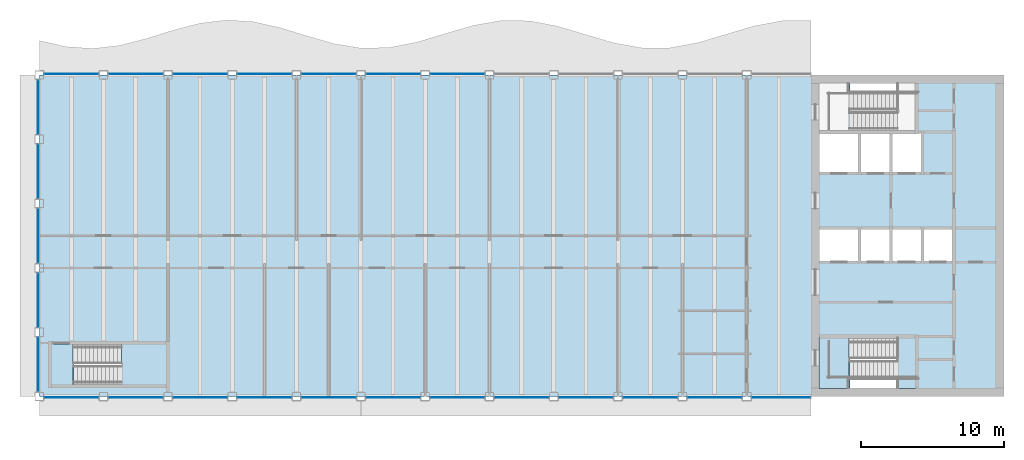
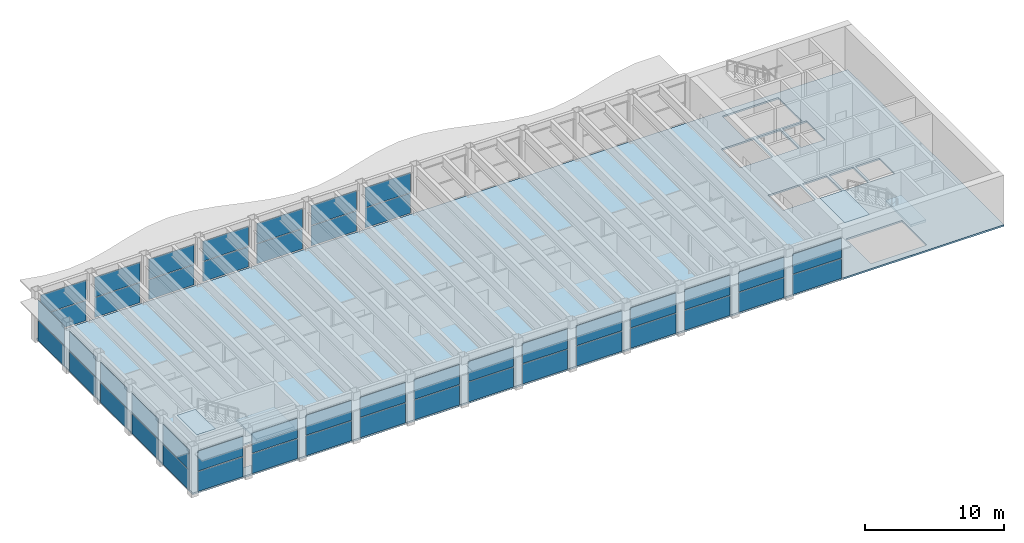
# One storey, part 7 of 14: 48 plates, 5 slabs, 26 elements without a shape of their own.
"""IFC4 building model written with IfcOpenShell, lengths in metres."""

from ifc_helpers import new_model, si_unit, direction, frame, origin, origin_2d, place, context, subcontext, project, spatial, polyline, rectangle, outline, extrude, material, layer, layer_set, type_object, element, aggregate, save


model = new_model("IFC4")

# Units and contexts
model_context = context("Model", 3, precision=1e-05, world=origin(), true_north=direction((0.0, 1.0)))
body_context = subcontext(model_context, "Body", "Model", "MODEL_VIEW")
ifc_project = project(units=[si_unit("LENGTHUNIT", "METRE"), si_unit("AREAUNIT", "SQUARE_METRE"), si_unit("VOLUMEUNIT", "CUBIC_METRE"), si_unit("PLANEANGLEUNIT", "RADIAN"), si_unit("MASSUNIT", "GRAM", prefix="KILO")], contexts=[model_context])

# Site, building, storey
site_placement = place(None, origin())
site = spatial("IfcSite", under=ifc_project, at=site_placement, CompositionType="ELEMENT")
building_placement = place(site_placement, origin())
building = spatial("IfcBuilding", under=site, at=building_placement, Name="Sennacour Bend Tower", CompositionType="ELEMENT")
storey_placement = place(building_placement, frame((0.0, 0.0, 332.0)))
storey = spatial("IfcBuildingStorey", under=building, at=storey_placement, Name="L76", CompositionType="ELEMENT", Elevation=332.0)

# Slab
ifc_material_1 = material(Name="Concrete C30/37", Category="concrete")
ifc_layer_1 = layer(ifc_material_1, 0.14990234375, Name="Concrete C30/37", Category="concrete")
ifc_layer_set_1 = layer_set([ifc_layer_1], Name="Concrete C30/37")
slab_type_1 = type_object("IfcSlabType", Name="Floor slab 150", PredefinedType="FLOOR", material=ifc_layer_set_1)
slab_1_placement = place(storey_placement, frame((0.0, 0.0, -0.14990234375)))
element("IfcSlab", 1, at=slab_1_placement, inside=storey, type_object=slab_type_1, Name="Floor slab L76-01", PredefinedType="FLOOR", context=body_context, shape_type="SweptSolid", body=[
    extrude(outline(polyline([(0.0, 22.5), (22.5, 22.5), (54.0, 22.5), (67.5, 22.5), (67.5, 0.0), (54.0, 0.0), (22.5, 0.0), (0.0, 0.0), (0.0, 22.5)]), holes=[polyline([(8.800048828125, 3.5), (2.429931640625, 3.5), (2.429931640625, 0.949951171875), (8.800048828125, 0.949951171875), (8.800048828125, 3.5)]), polyline([(61.39990234375, 4.125), (56.72998046875, 4.125), (56.72998046875, 0.550048828125), (61.39990234375, 0.550048828125), (61.39990234375, 4.125)]), polyline([(57.300048828125, 11.699951171875), (54.60009765625, 11.699951171875), (54.60009765625, 9.5), (57.300048828125, 9.5), (57.300048828125, 11.699951171875)]), polyline([(59.5, 9.5), (59.5, 11.699951171875), (57.5, 11.699951171875), (57.5, 9.5), (59.5, 9.5)]), polyline([(61.699951171875, 9.5), (61.699951171875, 11.699951171875), (59.699951171875, 11.699951171875), (59.699951171875, 9.5), (61.699951171875, 9.5)]), polyline([(63.89990234375, 11.699951171875), (61.89990234375, 11.699951171875), (61.89990234375, 9.5), (63.89990234375, 9.5), (63.89990234375, 11.699951171875)]), polyline([(57.300048828125, 18.39990234375), (54.60009765625, 18.39990234375), (54.60009765625, 15.699951171875), (57.300048828125, 15.699951171875), (57.300048828125, 18.39990234375)]), polyline([(59.5, 18.39990234375), (57.5, 18.39990234375), (57.5, 15.699951171875), (59.5, 15.699951171875), (59.5, 18.39990234375)]), polyline([(61.699951171875, 15.699951171875), (61.699951171875, 18.39990234375), (59.699951171875, 18.39990234375), (59.699951171875, 15.699951171875), (61.699951171875, 15.699951171875)]), polyline([(61.39990234375, 18.574951171875), (61.39990234375, 21.949951171875), (56.72998046875, 21.949951171875), (56.72998046875, 18.574951171875), (61.39990234375, 18.574951171875)])]), origin(), (0.0, 0.0, 1.0), 0.14990234375),
])

# Curtain wall, plates
ifc_material_2 = material(Name="Bronze anodised aluminium curtain wall with clear glass", Category="aluminium")
curtain_wall_type = type_object("IfcCurtainWallType", Name="CURTAIN WALL EXEC", PredefinedType="NOTDEFINED", material=ifc_material_2)
curtain_wall_1_placement = place(storey_placement, origin())
curtain_wall_1 = element("IfcCurtainWall", 2, at=curtain_wall_1_placement, inside=storey, type_object=curtain_wall_type, Name="Executive floor glass wall L76", PredefinedType="NOTDEFINED")
ifc_material_3 = material(Name="Clear low-emissivity glass", Category="glass")
ifc_layer_2 = layer(ifc_material_3, 0.031982421875, Name="Clear low-emissivity glass", Category="glass")
ifc_layer_set_2 = layer_set([ifc_layer_2], Name="Clear low-emissivity glass")
plate_type = type_object("IfcPlateType", Name="PNL-GLASS-IGU32", PredefinedType="CURTAIN_PANEL", material=ifc_layer_set_2)
plate_1_placement = place(storey_placement, frame((2.25, -0.074951171875, 0.06005859375), z_axis=(0.0, 0.0, 1.0), x_axis=(1.0, 0.0, 0.0)))
plate_1 = element("IfcPlate", 3, at=plate_1_placement, type_object=plate_type, Name="GW3 curtain wall panel 1.1", PredefinedType="CURTAIN_PANEL", context=body_context, shape_type="SweptSolid", body=[
    extrude(rectangle(XDim=3.780029296875, YDim=0.031982421875, at=origin_2d()), origin(), (0.0, 0.0, 1.0), 1.74609375),
])
plate_2_placement = place(storey_placement, frame((2.25, -0.074951171875, 1.865966796875), z_axis=(0.0, 0.0, 1.0), x_axis=(1.0, 0.0, 0.0)))
plate_2 = element("IfcPlate", 4, at=plate_2_placement, type_object=plate_type, Name="GW3 curtain wall panel 1.2", PredefinedType="CURTAIN_PANEL", context=body_context, shape_type="SweptSolid", body=[
    extrude(rectangle(XDim=3.780029296875, YDim=0.031982421875, at=origin_2d()), origin(), (0.0, 0.0, 1.0), 1.74609375),
])
aggregate(curtain_wall_1, [plate_1, plate_2])

curtain_wall_2_placement = place(storey_placement, origin())
curtain_wall_2 = element("IfcCurtainWall", 5, at=curtain_wall_2_placement, inside=storey, type_object=curtain_wall_type, Name="Executive floor glass wall L76", PredefinedType="NOTDEFINED")
plate_3_placement = place(storey_placement, frame((6.75, -0.074951171875, 0.06005859375), z_axis=(0.0, 0.0, 1.0), x_axis=(1.0, 0.0, 0.0)))
plate_3 = element("IfcPlate", 6, at=plate_3_placement, type_object=plate_type, Name="GW3 curtain wall panel 1.1", PredefinedType="CURTAIN_PANEL", context=body_context, shape_type="SweptSolid", body=[
    extrude(rectangle(XDim=3.780029296875, YDim=0.031982421875, at=origin_2d()), origin(), (0.0, 0.0, 1.0), 1.74609375),
])
plate_4_placement = place(storey_placement, frame((6.75, -0.074951171875, 1.865966796875), z_axis=(0.0, 0.0, 1.0), x_axis=(1.0, 0.0, 0.0)))
plate_4 = element("IfcPlate", 7, at=plate_4_placement, type_object=plate_type, Name="GW3 curtain wall panel 1.2", PredefinedType="CURTAIN_PANEL", context=body_context, shape_type="SweptSolid", body=[
    extrude(rectangle(XDim=3.780029296875, YDim=0.031982421875, at=origin_2d()), origin(), (0.0, 0.0, 1.0), 1.74609375),
])
aggregate(curtain_wall_2, [plate_3, plate_4])

curtain_wall_3_placement = place(storey_placement, origin())
curtain_wall_3 = element("IfcCurtainWall", 8, at=curtain_wall_3_placement, inside=storey, type_object=curtain_wall_type, Name="Executive floor glass wall L76", PredefinedType="NOTDEFINED")
plate_5_placement = place(storey_placement, frame((11.25, -0.074951171875, 0.06005859375), z_axis=(0.0, 0.0, 1.0), x_axis=(1.0, 0.0, 0.0)))
plate_5 = element("IfcPlate", 9, at=plate_5_placement, type_object=plate_type, Name="GW3 curtain wall panel 1.1", PredefinedType="CURTAIN_PANEL", context=body_context, shape_type="SweptSolid", body=[
    extrude(rectangle(XDim=3.780029296875, YDim=0.031982421875, at=origin_2d()), origin(), (0.0, 0.0, 1.0), 1.74609375),
])
plate_6_placement = place(storey_placement, frame((11.25, -0.074951171875, 1.865966796875), z_axis=(0.0, 0.0, 1.0), x_axis=(1.0, 0.0, 0.0)))
plate_6 = element("IfcPlate", 10, at=plate_6_placement, type_object=plate_type, Name="GW3 curtain wall panel 1.2", PredefinedType="CURTAIN_PANEL", context=body_context, shape_type="SweptSolid", body=[
    extrude(rectangle(XDim=3.780029296875, YDim=0.031982421875, at=origin_2d()), origin(), (0.0, 0.0, 1.0), 1.74609375),
])
aggregate(curtain_wall_3, [plate_5, plate_6])

curtain_wall_4_placement = place(storey_placement, origin())
curtain_wall_4 = element("IfcCurtainWall", 11, at=curtain_wall_4_placement, inside=storey, type_object=curtain_wall_type, Name="Executive floor glass wall L76", PredefinedType="NOTDEFINED")
plate_7_placement = place(storey_placement, frame((15.75, -0.074951171875, 0.06005859375), z_axis=(0.0, 0.0, 1.0), x_axis=(1.0, 0.0, 0.0)))
plate_7 = element("IfcPlate", 12, at=plate_7_placement, type_object=plate_type, Name="GW3 curtain wall panel 1.1", PredefinedType="CURTAIN_PANEL", context=body_context, shape_type="SweptSolid", body=[
    extrude(rectangle(XDim=3.780029296875, YDim=0.031982421875, at=origin_2d()), origin(), (0.0, 0.0, 1.0), 1.74609375),
])
plate_8_placement = place(storey_placement, frame((15.75, -0.074951171875, 1.865966796875), z_axis=(0.0, 0.0, 1.0), x_axis=(1.0, 0.0, 0.0)))
plate_8 = element("IfcPlate", 13, at=plate_8_placement, type_object=plate_type, Name="GW3 curtain wall panel 1.2", PredefinedType="CURTAIN_PANEL", context=body_context, shape_type="SweptSolid", body=[
    extrude(rectangle(XDim=3.780029296875, YDim=0.031982421875, at=origin_2d()), origin(), (0.0, 0.0, 1.0), 1.74609375),
])
aggregate(curtain_wall_4, [plate_7, plate_8])

curtain_wall_5_placement = place(storey_placement, origin())
curtain_wall_5 = element("IfcCurtainWall", 14, at=curtain_wall_5_placement, inside=storey, type_object=curtain_wall_type, Name="Executive floor glass wall L76", PredefinedType="NOTDEFINED")
plate_9_placement = place(storey_placement, frame((20.25, -0.074951171875, 0.06005859375), z_axis=(0.0, 0.0, 1.0), x_axis=(1.0, 0.0, 0.0)))
plate_9 = element("IfcPlate", 15, at=plate_9_placement, type_object=plate_type, Name="GW3 curtain wall panel 1.1", PredefinedType="CURTAIN_PANEL", context=body_context, shape_type="SweptSolid", body=[
    extrude(rectangle(XDim=3.780029296875, YDim=0.031982421875, at=origin_2d()), origin(), (0.0, 0.0, 1.0), 1.74609375),
])
plate_10_placement = place(storey_placement, frame((20.25, -0.074951171875, 1.865966796875), z_axis=(0.0, 0.0, 1.0), x_axis=(1.0, 0.0, 0.0)))
plate_10 = element("IfcPlate", 16, at=plate_10_placement, type_object=plate_type, Name="GW3 curtain wall panel 1.2", PredefinedType="CURTAIN_PANEL", context=body_context, shape_type="SweptSolid", body=[
    extrude(rectangle(XDim=3.780029296875, YDim=0.031982421875, at=origin_2d()), origin(), (0.0, 0.0, 1.0), 1.74609375),
])
aggregate(curtain_wall_5, [plate_9, plate_10])

curtain_wall_6_placement = place(storey_placement, origin())
curtain_wall_6 = element("IfcCurtainWall", 17, at=curtain_wall_6_placement, inside=storey, type_object=curtain_wall_type, Name="Executive floor glass wall L76", PredefinedType="NOTDEFINED")
plate_11_placement = place(storey_placement, frame((24.75, -0.074951171875, 0.06005859375), z_axis=(0.0, 0.0, 1.0), x_axis=(1.0, 0.0, 0.0)))
plate_11 = element("IfcPlate", 18, at=plate_11_placement, type_object=plate_type, Name="GW3 curtain wall panel 1.1", PredefinedType="CURTAIN_PANEL", context=body_context, shape_type="SweptSolid", body=[
    extrude(rectangle(XDim=3.780029296875, YDim=0.031982421875, at=origin_2d()), origin(), (0.0, 0.0, 1.0), 1.74609375),
])
plate_12_placement = place(storey_placement, frame((24.75, -0.074951171875, 1.865966796875), z_axis=(0.0, 0.0, 1.0), x_axis=(1.0, 0.0, 0.0)))
plate_12 = element("IfcPlate", 19, at=plate_12_placement, type_object=plate_type, Name="GW3 curtain wall panel 1.2", PredefinedType="CURTAIN_PANEL", context=body_context, shape_type="SweptSolid", body=[
    extrude(rectangle(XDim=3.780029296875, YDim=0.031982421875, at=origin_2d()), origin(), (0.0, 0.0, 1.0), 1.74609375),
])
aggregate(curtain_wall_6, [plate_11, plate_12])

curtain_wall_7_placement = place(storey_placement, origin())
curtain_wall_7 = element("IfcCurtainWall", 20, at=curtain_wall_7_placement, inside=storey, type_object=curtain_wall_type, Name="Executive floor glass wall L76", PredefinedType="NOTDEFINED")
plate_13_placement = place(storey_placement, frame((29.25, -0.074951171875, 0.06005859375), z_axis=(0.0, 0.0, 1.0), x_axis=(1.0, 0.0, 0.0)))
plate_13 = element("IfcPlate", 21, at=plate_13_placement, type_object=plate_type, Name="GW3 curtain wall panel 1.1", PredefinedType="CURTAIN_PANEL", context=body_context, shape_type="SweptSolid", body=[
    extrude(rectangle(XDim=3.780029296875, YDim=0.031982421875, at=origin_2d()), origin(), (0.0, 0.0, 1.0), 1.74609375),
])
plate_14_placement = place(storey_placement, frame((29.25, -0.074951171875, 1.865966796875), z_axis=(0.0, 0.0, 1.0), x_axis=(1.0, 0.0, 0.0)))
plate_14 = element("IfcPlate", 22, at=plate_14_placement, type_object=plate_type, Name="GW3 curtain wall panel 1.2", PredefinedType="CURTAIN_PANEL", context=body_context, shape_type="SweptSolid", body=[
    extrude(rectangle(XDim=3.780029296875, YDim=0.031982421875, at=origin_2d()), origin(), (0.0, 0.0, 1.0), 1.74609375),
])
aggregate(curtain_wall_7, [plate_13, plate_14])

curtain_wall_8_placement = place(storey_placement, origin())
curtain_wall_8 = element("IfcCurtainWall", 23, at=curtain_wall_8_placement, inside=storey, type_object=curtain_wall_type, Name="Executive floor glass wall L76", PredefinedType="NOTDEFINED")
plate_15_placement = place(storey_placement, frame((33.75, -0.074951171875, 0.06005859375), z_axis=(0.0, 0.0, 1.0), x_axis=(1.0, 0.0, 0.0)))
plate_15 = element("IfcPlate", 24, at=plate_15_placement, type_object=plate_type, Name="GW3 curtain wall panel 1.1", PredefinedType="CURTAIN_PANEL", context=body_context, shape_type="SweptSolid", body=[
    extrude(rectangle(XDim=3.780029296875, YDim=0.031982421875, at=origin_2d()), origin(), (0.0, 0.0, 1.0), 1.74609375),
])
plate_16_placement = place(storey_placement, frame((33.75, -0.074951171875, 1.865966796875), z_axis=(0.0, 0.0, 1.0), x_axis=(1.0, 0.0, 0.0)))
plate_16 = element("IfcPlate", 25, at=plate_16_placement, type_object=plate_type, Name="GW3 curtain wall panel 1.2", PredefinedType="CURTAIN_PANEL", context=body_context, shape_type="SweptSolid", body=[
    extrude(rectangle(XDim=3.780029296875, YDim=0.031982421875, at=origin_2d()), origin(), (0.0, 0.0, 1.0), 1.74609375),
])
aggregate(curtain_wall_8, [plate_15, plate_16])

curtain_wall_9_placement = place(storey_placement, origin())
curtain_wall_9 = element("IfcCurtainWall", 26, at=curtain_wall_9_placement, inside=storey, type_object=curtain_wall_type, Name="Executive floor glass wall L76", PredefinedType="NOTDEFINED")
plate_17_placement = place(storey_placement, frame((38.25, -0.074951171875, 0.06005859375), z_axis=(0.0, 0.0, 1.0), x_axis=(1.0, 0.0, 0.0)))
plate_17 = element("IfcPlate", 27, at=plate_17_placement, type_object=plate_type, Name="GW3 curtain wall panel 1.1", PredefinedType="CURTAIN_PANEL", context=body_context, shape_type="SweptSolid", body=[
    extrude(rectangle(XDim=3.780029296875, YDim=0.031982421875, at=origin_2d()), origin(), (0.0, 0.0, 1.0), 1.74609375),
])
plate_18_placement = place(storey_placement, frame((38.25, -0.074951171875, 1.865966796875), z_axis=(0.0, 0.0, 1.0), x_axis=(1.0, 0.0, 0.0)))
plate_18 = element("IfcPlate", 28, at=plate_18_placement, type_object=plate_type, Name="GW3 curtain wall panel 1.2", PredefinedType="CURTAIN_PANEL", context=body_context, shape_type="SweptSolid", body=[
    extrude(rectangle(XDim=3.780029296875, YDim=0.031982421875, at=origin_2d()), origin(), (0.0, 0.0, 1.0), 1.74609375),
])
aggregate(curtain_wall_9, [plate_17, plate_18])

curtain_wall_10_placement = place(storey_placement, origin())
curtain_wall_10 = element("IfcCurtainWall", 29, at=curtain_wall_10_placement, inside=storey, type_object=curtain_wall_type, Name="Executive floor glass wall L76", PredefinedType="NOTDEFINED")
plate_19_placement = place(storey_placement, frame((42.75, -0.074951171875, 0.06005859375), z_axis=(0.0, 0.0, 1.0), x_axis=(1.0, 0.0, 0.0)))
plate_19 = element("IfcPlate", 30, at=plate_19_placement, type_object=plate_type, Name="GW3 curtain wall panel 1.1", PredefinedType="CURTAIN_PANEL", context=body_context, shape_type="SweptSolid", body=[
    extrude(rectangle(XDim=3.780029296875, YDim=0.031982421875, at=origin_2d()), origin(), (0.0, 0.0, 1.0), 1.74609375),
])
plate_20_placement = place(storey_placement, frame((42.75, -0.074951171875, 1.865966796875), z_axis=(0.0, 0.0, 1.0), x_axis=(1.0, 0.0, 0.0)))
plate_20 = element("IfcPlate", 31, at=plate_20_placement, type_object=plate_type, Name="GW3 curtain wall panel 1.2", PredefinedType="CURTAIN_PANEL", context=body_context, shape_type="SweptSolid", body=[
    extrude(rectangle(XDim=3.780029296875, YDim=0.031982421875, at=origin_2d()), origin(), (0.0, 0.0, 1.0), 1.74609375),
])
aggregate(curtain_wall_10, [plate_19, plate_20])

curtain_wall_11_placement = place(storey_placement, origin())
curtain_wall_11 = element("IfcCurtainWall", 32, at=curtain_wall_11_placement, inside=storey, type_object=curtain_wall_type, Name="Executive floor glass wall L76", PredefinedType="NOTDEFINED")
plate_21_placement = place(storey_placement, frame((47.25, -0.074951171875, 0.06005859375), z_axis=(0.0, 0.0, 1.0), x_axis=(1.0, 0.0, 0.0)))
plate_21 = element("IfcPlate", 33, at=plate_21_placement, type_object=plate_type, Name="GW3 curtain wall panel 1.1", PredefinedType="CURTAIN_PANEL", context=body_context, shape_type="SweptSolid", body=[
    extrude(rectangle(XDim=3.780029296875, YDim=0.031982421875, at=origin_2d()), origin(), (0.0, 0.0, 1.0), 1.74609375),
])
plate_22_placement = place(storey_placement, frame((47.25, -0.074951171875, 1.865966796875), z_axis=(0.0, 0.0, 1.0), x_axis=(1.0, 0.0, 0.0)))
plate_22 = element("IfcPlate", 34, at=plate_22_placement, type_object=plate_type, Name="GW3 curtain wall panel 1.2", PredefinedType="CURTAIN_PANEL", context=body_context, shape_type="SweptSolid", body=[
    extrude(rectangle(XDim=3.780029296875, YDim=0.031982421875, at=origin_2d()), origin(), (0.0, 0.0, 1.0), 1.74609375),
])
aggregate(curtain_wall_11, [plate_21, plate_22])

curtain_wall_12_placement = place(storey_placement, origin())
curtain_wall_12 = element("IfcCurtainWall", 35, at=curtain_wall_12_placement, inside=storey, type_object=curtain_wall_type, Name="Executive floor glass wall L76", PredefinedType="NOTDEFINED")
plate_23_placement = place(storey_placement, frame((51.89990234375, -0.074951171875, 0.06005859375), z_axis=(0.0, 0.0, 1.0), x_axis=(1.0, 0.0, 0.0)))
plate_23 = element("IfcPlate", 36, at=plate_23_placement, type_object=plate_type, Name="GW3 curtain wall panel 1.1", PredefinedType="CURTAIN_PANEL", context=body_context, shape_type="SweptSolid", body=[
    extrude(rectangle(XDim=4.080078125, YDim=0.031982421875, at=origin_2d()), origin(), (0.0, 0.0, 1.0), 1.74609375),
])
plate_24_placement = place(storey_placement, frame((51.89990234375, -0.074951171875, 1.865966796875), z_axis=(0.0, 0.0, 1.0), x_axis=(1.0, 0.0, 0.0)))
plate_24 = element("IfcPlate", 37, at=plate_24_placement, type_object=plate_type, Name="GW3 curtain wall panel 1.2", PredefinedType="CURTAIN_PANEL", context=body_context, shape_type="SweptSolid", body=[
    extrude(rectangle(XDim=4.080078125, YDim=0.031982421875, at=origin_2d()), origin(), (0.0, 0.0, 1.0), 1.74609375),
])
aggregate(curtain_wall_12, [plate_23, plate_24])

curtain_wall_13_placement = place(storey_placement, origin())
curtain_wall_13 = element("IfcCurtainWall", 38, at=curtain_wall_13_placement, inside=storey, type_object=curtain_wall_type, Name="Executive floor glass wall L76", PredefinedType="NOTDEFINED")
plate_25_placement = place(storey_placement, frame((29.25, 22.574951171875, 0.06005859375), z_axis=(0.0, 0.0, 1.0), x_axis=(-1.0, 0.0, 0.0)))
plate_25 = element("IfcPlate", 39, at=plate_25_placement, type_object=plate_type, Name="GW3 curtain wall panel 1.1", PredefinedType="CURTAIN_PANEL", context=body_context, shape_type="SweptSolid", body=[
    extrude(rectangle(XDim=3.780029296875, YDim=0.031982421875, at=origin_2d()), origin(), (0.0, 0.0, 1.0), 1.74609375),
])
plate_26_placement = place(storey_placement, frame((29.25, 22.574951171875, 1.865966796875), z_axis=(0.0, 0.0, 1.0), x_axis=(-1.0, 0.0, 0.0)))
plate_26 = element("IfcPlate", 40, at=plate_26_placement, type_object=plate_type, Name="GW3 curtain wall panel 1.2", PredefinedType="CURTAIN_PANEL", context=body_context, shape_type="SweptSolid", body=[
    extrude(rectangle(XDim=3.780029296875, YDim=0.031982421875, at=origin_2d()), origin(), (0.0, 0.0, 1.0), 1.74609375),
])
aggregate(curtain_wall_13, [plate_25, plate_26])

curtain_wall_14_placement = place(storey_placement, origin())
curtain_wall_14 = element("IfcCurtainWall", 41, at=curtain_wall_14_placement, inside=storey, type_object=curtain_wall_type, Name="Executive floor glass wall L76", PredefinedType="NOTDEFINED")
plate_27_placement = place(storey_placement, frame((24.75, 22.574951171875, 0.06005859375), z_axis=(0.0, 0.0, 1.0), x_axis=(-1.0, 0.0, 0.0)))
plate_27 = element("IfcPlate", 42, at=plate_27_placement, type_object=plate_type, Name="GW3 curtain wall panel 1.1", PredefinedType="CURTAIN_PANEL", context=body_context, shape_type="SweptSolid", body=[
    extrude(rectangle(XDim=3.780029296875, YDim=0.031982421875, at=origin_2d()), origin(), (0.0, 0.0, 1.0), 1.74609375),
])
plate_28_placement = place(storey_placement, frame((24.75, 22.574951171875, 1.865966796875), z_axis=(0.0, 0.0, 1.0), x_axis=(-1.0, 0.0, 0.0)))
plate_28 = element("IfcPlate", 43, at=plate_28_placement, type_object=plate_type, Name="GW3 curtain wall panel 1.2", PredefinedType="CURTAIN_PANEL", context=body_context, shape_type="SweptSolid", body=[
    extrude(rectangle(XDim=3.780029296875, YDim=0.031982421875, at=origin_2d()), origin(), (0.0, 0.0, 1.0), 1.74609375),
])
aggregate(curtain_wall_14, [plate_27, plate_28])

curtain_wall_15_placement = place(storey_placement, origin())
curtain_wall_15 = element("IfcCurtainWall", 44, at=curtain_wall_15_placement, inside=storey, type_object=curtain_wall_type, Name="Executive floor glass wall L76", PredefinedType="NOTDEFINED")
plate_29_placement = place(storey_placement, frame((20.25, 22.574951171875, 0.06005859375), z_axis=(0.0, 0.0, 1.0), x_axis=(-1.0, 0.0, 0.0)))
plate_29 = element("IfcPlate", 45, at=plate_29_placement, type_object=plate_type, Name="GW3 curtain wall panel 1.1", PredefinedType="CURTAIN_PANEL", context=body_context, shape_type="SweptSolid", body=[
    extrude(rectangle(XDim=3.780029296875, YDim=0.031982421875, at=origin_2d()), origin(), (0.0, 0.0, 1.0), 1.74609375),
])
plate_30_placement = place(storey_placement, frame((20.25, 22.574951171875, 1.865966796875), z_axis=(0.0, 0.0, 1.0), x_axis=(-1.0, 0.0, 0.0)))
plate_30 = element("IfcPlate", 46, at=plate_30_placement, type_object=plate_type, Name="GW3 curtain wall panel 1.2", PredefinedType="CURTAIN_PANEL", context=body_context, shape_type="SweptSolid", body=[
    extrude(rectangle(XDim=3.780029296875, YDim=0.031982421875, at=origin_2d()), origin(), (0.0, 0.0, 1.0), 1.74609375),
])
aggregate(curtain_wall_15, [plate_29, plate_30])

curtain_wall_16_placement = place(storey_placement, origin())
curtain_wall_16 = element("IfcCurtainWall", 47, at=curtain_wall_16_placement, inside=storey, type_object=curtain_wall_type, Name="Executive floor glass wall L76", PredefinedType="NOTDEFINED")
plate_31_placement = place(storey_placement, frame((15.75, 22.574951171875, 0.06005859375), z_axis=(0.0, 0.0, 1.0), x_axis=(-1.0, 0.0, 0.0)))
plate_31 = element("IfcPlate", 48, at=plate_31_placement, type_object=plate_type, Name="GW3 curtain wall panel 1.1", PredefinedType="CURTAIN_PANEL", context=body_context, shape_type="SweptSolid", body=[
    extrude(rectangle(XDim=3.780029296875, YDim=0.031982421875, at=origin_2d()), origin(), (0.0, 0.0, 1.0), 1.74609375),
])
plate_32_placement = place(storey_placement, frame((15.75, 22.574951171875, 1.865966796875), z_axis=(0.0, 0.0, 1.0), x_axis=(-1.0, 0.0, 0.0)))
plate_32 = element("IfcPlate", 49, at=plate_32_placement, type_object=plate_type, Name="GW3 curtain wall panel 1.2", PredefinedType="CURTAIN_PANEL", context=body_context, shape_type="SweptSolid", body=[
    extrude(rectangle(XDim=3.780029296875, YDim=0.031982421875, at=origin_2d()), origin(), (0.0, 0.0, 1.0), 1.74609375),
])
aggregate(curtain_wall_16, [plate_31, plate_32])

curtain_wall_17_placement = place(storey_placement, origin())
curtain_wall_17 = element("IfcCurtainWall", 50, at=curtain_wall_17_placement, inside=storey, type_object=curtain_wall_type, Name="Executive floor glass wall L76", PredefinedType="NOTDEFINED")
plate_33_placement = place(storey_placement, frame((11.25, 22.574951171875, 0.06005859375), z_axis=(0.0, 0.0, 1.0), x_axis=(-1.0, 0.0, 0.0)))
plate_33 = element("IfcPlate", 51, at=plate_33_placement, type_object=plate_type, Name="GW3 curtain wall panel 1.1", PredefinedType="CURTAIN_PANEL", context=body_context, shape_type="SweptSolid", body=[
    extrude(rectangle(XDim=3.780029296875, YDim=0.031982421875, at=origin_2d()), origin(), (0.0, 0.0, 1.0), 1.74609375),
])
plate_34_placement = place(storey_placement, frame((11.25, 22.574951171875, 1.865966796875), z_axis=(0.0, 0.0, 1.0), x_axis=(-1.0, 0.0, 0.0)))
plate_34 = element("IfcPlate", 52, at=plate_34_placement, type_object=plate_type, Name="GW3 curtain wall panel 1.2", PredefinedType="CURTAIN_PANEL", context=body_context, shape_type="SweptSolid", body=[
    extrude(rectangle(XDim=3.780029296875, YDim=0.031982421875, at=origin_2d()), origin(), (0.0, 0.0, 1.0), 1.74609375),
])
aggregate(curtain_wall_17, [plate_33, plate_34])

curtain_wall_18_placement = place(storey_placement, origin())
curtain_wall_18 = element("IfcCurtainWall", 53, at=curtain_wall_18_placement, inside=storey, type_object=curtain_wall_type, Name="Executive floor glass wall L76", PredefinedType="NOTDEFINED")
plate_35_placement = place(storey_placement, frame((6.75, 22.574951171875, 0.06005859375), z_axis=(0.0, 0.0, 1.0), x_axis=(-1.0, 0.0, 0.0)))
plate_35 = element("IfcPlate", 54, at=plate_35_placement, type_object=plate_type, Name="GW3 curtain wall panel 1.1", PredefinedType="CURTAIN_PANEL", context=body_context, shape_type="SweptSolid", body=[
    extrude(rectangle(XDim=3.780029296875, YDim=0.031982421875, at=origin_2d()), origin(), (0.0, 0.0, 1.0), 1.74609375),
])
plate_36_placement = place(storey_placement, frame((6.75, 22.574951171875, 1.865966796875), z_axis=(0.0, 0.0, 1.0), x_axis=(-1.0, 0.0, 0.0)))
plate_36 = element("IfcPlate", 55, at=plate_36_placement, type_object=plate_type, Name="GW3 curtain wall panel 1.2", PredefinedType="CURTAIN_PANEL", context=body_context, shape_type="SweptSolid", body=[
    extrude(rectangle(XDim=3.780029296875, YDim=0.031982421875, at=origin_2d()), origin(), (0.0, 0.0, 1.0), 1.74609375),
])
aggregate(curtain_wall_18, [plate_35, plate_36])

curtain_wall_19_placement = place(storey_placement, origin())
curtain_wall_19 = element("IfcCurtainWall", 56, at=curtain_wall_19_placement, inside=storey, type_object=curtain_wall_type, Name="Executive floor glass wall L76", PredefinedType="NOTDEFINED")
plate_37_placement = place(storey_placement, frame((2.25, 22.574951171875, 0.06005859375), z_axis=(0.0, 0.0, 1.0), x_axis=(-1.0, 0.0, 0.0)))
plate_37 = element("IfcPlate", 57, at=plate_37_placement, type_object=plate_type, Name="GW3 curtain wall panel 1.1", PredefinedType="CURTAIN_PANEL", context=body_context, shape_type="SweptSolid", body=[
    extrude(rectangle(XDim=3.780029296875, YDim=0.031982421875, at=origin_2d()), origin(), (0.0, 0.0, 1.0), 1.74609375),
])
plate_38_placement = place(storey_placement, frame((2.25, 22.574951171875, 1.865966796875), z_axis=(0.0, 0.0, 1.0), x_axis=(-1.0, 0.0, 0.0)))
plate_38 = element("IfcPlate", 58, at=plate_38_placement, type_object=plate_type, Name="GW3 curtain wall panel 1.2", PredefinedType="CURTAIN_PANEL", context=body_context, shape_type="SweptSolid", body=[
    extrude(rectangle(XDim=3.780029296875, YDim=0.031982421875, at=origin_2d()), origin(), (0.0, 0.0, 1.0), 1.74609375),
])
aggregate(curtain_wall_19, [plate_37, plate_38])

curtain_wall_20_placement = place(storey_placement, origin())
curtain_wall_20 = element("IfcCurtainWall", 59, at=curtain_wall_20_placement, inside=storey, type_object=curtain_wall_type, Name="Executive floor glass wall L76", PredefinedType="NOTDEFINED")
plate_39_placement = place(storey_placement, frame((-0.074951171875, 20.25, 0.06005859375), z_axis=(0.0, 0.0, 1.0), x_axis=(0.0, -1.0, 0.0)))
plate_39 = element("IfcPlate", 60, at=plate_39_placement, type_object=plate_type, Name="GW3 curtain wall panel 1.1", PredefinedType="CURTAIN_PANEL", context=body_context, shape_type="SweptSolid", body=[
    extrude(rectangle(XDim=3.780029296875, YDim=0.031982421875, at=origin_2d()), origin(), (0.0, 0.0, 1.0), 1.74609375),
])
plate_40_placement = place(storey_placement, frame((-0.074951171875, 20.25, 1.865966796875), z_axis=(0.0, 0.0, 1.0), x_axis=(0.0, -1.0, 0.0)))
plate_40 = element("IfcPlate", 61, at=plate_40_placement, type_object=plate_type, Name="GW3 curtain wall panel 1.2", PredefinedType="CURTAIN_PANEL", context=body_context, shape_type="SweptSolid", body=[
    extrude(rectangle(XDim=3.780029296875, YDim=0.031982421875, at=origin_2d()), origin(), (0.0, 0.0, 1.0), 1.74609375),
])
aggregate(curtain_wall_20, [plate_39, plate_40])

curtain_wall_21_placement = place(storey_placement, origin())
curtain_wall_21 = element("IfcCurtainWall", 62, at=curtain_wall_21_placement, inside=storey, type_object=curtain_wall_type, Name="Executive floor glass wall L76", PredefinedType="NOTDEFINED")
plate_41_placement = place(storey_placement, frame((-0.074951171875, 15.75, 0.06005859375), z_axis=(0.0, 0.0, 1.0), x_axis=(0.0, -1.0, 0.0)))
plate_41 = element("IfcPlate", 63, at=plate_41_placement, type_object=plate_type, Name="GW3 curtain wall panel 1.1", PredefinedType="CURTAIN_PANEL", context=body_context, shape_type="SweptSolid", body=[
    extrude(rectangle(XDim=3.780029296875, YDim=0.031982421875, at=origin_2d()), origin(), (0.0, 0.0, 1.0), 1.74609375),
])
plate_42_placement = place(storey_placement, frame((-0.074951171875, 15.75, 1.865966796875), z_axis=(0.0, 0.0, 1.0), x_axis=(0.0, -1.0, 0.0)))
plate_42 = element("IfcPlate", 64, at=plate_42_placement, type_object=plate_type, Name="GW3 curtain wall panel 1.2", PredefinedType="CURTAIN_PANEL", context=body_context, shape_type="SweptSolid", body=[
    extrude(rectangle(XDim=3.780029296875, YDim=0.031982421875, at=origin_2d()), origin(), (0.0, 0.0, 1.0), 1.74609375),
])
aggregate(curtain_wall_21, [plate_41, plate_42])

curtain_wall_22_placement = place(storey_placement, origin())
curtain_wall_22 = element("IfcCurtainWall", 65, at=curtain_wall_22_placement, inside=storey, type_object=curtain_wall_type, Name="Executive floor glass wall L76", PredefinedType="NOTDEFINED")
plate_43_placement = place(storey_placement, frame((-0.074951171875, 11.25, 0.06005859375), z_axis=(0.0, 0.0, 1.0), x_axis=(0.0, -1.0, 0.0)))
plate_43 = element("IfcPlate", 66, at=plate_43_placement, type_object=plate_type, Name="GW3 curtain wall panel 1.1", PredefinedType="CURTAIN_PANEL", context=body_context, shape_type="SweptSolid", body=[
    extrude(rectangle(XDim=3.780029296875, YDim=0.031982421875, at=origin_2d()), origin(), (0.0, 0.0, 1.0), 1.74609375),
])
plate_44_placement = place(storey_placement, frame((-0.074951171875, 11.25, 1.865966796875), z_axis=(0.0, 0.0, 1.0), x_axis=(0.0, -1.0, 0.0)))
plate_44 = element("IfcPlate", 67, at=plate_44_placement, type_object=plate_type, Name="GW3 curtain wall panel 1.2", PredefinedType="CURTAIN_PANEL", context=body_context, shape_type="SweptSolid", body=[
    extrude(rectangle(XDim=3.780029296875, YDim=0.031982421875, at=origin_2d()), origin(), (0.0, 0.0, 1.0), 1.74609375),
])
aggregate(curtain_wall_22, [plate_43, plate_44])

curtain_wall_23_placement = place(storey_placement, origin())
curtain_wall_23 = element("IfcCurtainWall", 68, at=curtain_wall_23_placement, inside=storey, type_object=curtain_wall_type, Name="Executive floor glass wall L76", PredefinedType="NOTDEFINED")
plate_45_placement = place(storey_placement, frame((-0.074951171875, 6.75, 0.06005859375), z_axis=(0.0, 0.0, 1.0), x_axis=(0.0, -1.0, 0.0)))
plate_45 = element("IfcPlate", 69, at=plate_45_placement, type_object=plate_type, Name="GW3 curtain wall panel 1.1", PredefinedType="CURTAIN_PANEL", context=body_context, shape_type="SweptSolid", body=[
    extrude(rectangle(XDim=3.780029296875, YDim=0.031982421875, at=origin_2d()), origin(), (0.0, 0.0, 1.0), 1.74609375),
])
plate_46_placement = place(storey_placement, frame((-0.074951171875, 6.75, 1.865966796875), z_axis=(0.0, 0.0, 1.0), x_axis=(0.0, -1.0, 0.0)))
plate_46 = element("IfcPlate", 70, at=plate_46_placement, type_object=plate_type, Name="GW3 curtain wall panel 1.2", PredefinedType="CURTAIN_PANEL", context=body_context, shape_type="SweptSolid", body=[
    extrude(rectangle(XDim=3.780029296875, YDim=0.031982421875, at=origin_2d()), origin(), (0.0, 0.0, 1.0), 1.74609375),
])
aggregate(curtain_wall_23, [plate_45, plate_46])

curtain_wall_24_placement = place(storey_placement, origin())
curtain_wall_24 = element("IfcCurtainWall", 71, at=curtain_wall_24_placement, inside=storey, type_object=curtain_wall_type, Name="Executive floor glass wall L76", PredefinedType="NOTDEFINED")
plate_47_placement = place(storey_placement, frame((-0.074951171875, 2.25, 0.06005859375), z_axis=(0.0, 0.0, 1.0), x_axis=(0.0, -1.0, 0.0)))
plate_47 = element("IfcPlate", 72, at=plate_47_placement, type_object=plate_type, Name="GW3 curtain wall panel 1.1", PredefinedType="CURTAIN_PANEL", context=body_context, shape_type="SweptSolid", body=[
    extrude(rectangle(XDim=3.780029296875, YDim=0.031982421875, at=origin_2d()), origin(), (0.0, 0.0, 1.0), 1.74609375),
])
plate_48_placement = place(storey_placement, frame((-0.074951171875, 2.25, 1.865966796875), z_axis=(0.0, 0.0, 1.0), x_axis=(0.0, -1.0, 0.0)))
plate_48 = element("IfcPlate", 73, at=plate_48_placement, type_object=plate_type, Name="GW3 curtain wall panel 1.2", PredefinedType="CURTAIN_PANEL", context=body_context, shape_type="SweptSolid", body=[
    extrude(rectangle(XDim=3.780029296875, YDim=0.031982421875, at=origin_2d()), origin(), (0.0, 0.0, 1.0), 1.74609375),
])
aggregate(curtain_wall_24, [plate_47, plate_48])

# Slabs
ifc_material_4 = material(Name="Concrete C40/50", Category="concrete")
ifc_layer_3 = layer(ifc_material_4, 0.034912109375, Name="Concrete C40/50", Category="concrete")
ifc_layer_set_3 = layer_set([ifc_layer_3], Name="Concrete C40/50")
slab_type_2 = type_object("IfcSlabType", Name="Stair arrival nib 35", PredefinedType="FLOOR", material=ifc_layer_set_3)
slab_2_placement = place(storey_placement, frame((0.0, 0.0, 4.315185546875)))
element("IfcSlab", 74, at=slab_2_placement, inside=storey, type_object=slab_type_2, Name="L76 SA1 stair arrival nib", PredefinedType="FLOOR", context=body_context, shape_type="SweptSolid", body=[
    extrude(outline(polyline([(56.64208984375, 4.125), (54.550048828125, 4.125), (54.550048828125, 0.550048828125), (56.64208984375, 0.550048828125), (56.64208984375, 4.125)])), origin(), (0.0, 0.0, 1.0), 0.034912109375),
])
slab_3_placement = place(storey_placement, frame((0.0, 0.0, 4.315185546875)))
element("IfcSlab", 75, at=slab_3_placement, inside=storey, type_object=slab_type_2, Name="L76 SK1 stair arrival nib", PredefinedType="FLOOR", context=body_context, shape_type="SweptSolid", body=[
    extrude(outline(polyline([(2.342041015625, 3.675048828125), (0.800048828125, 3.675048828125), (0.800048828125, 0.800048828125), (2.342041015625, 0.800048828125), (2.342041015625, 3.675048828125)])), origin(), (0.0, 0.0, 1.0), 0.034912109375),
])

# Stair, slab
stair_type = type_object("IfcStairType", Name="ST-DOGLEG", PredefinedType="HALF_TURN_STAIR", material=ifc_material_4)
stair_1_placement = place(storey_placement, origin())
stair_1 = element("IfcStair", 76, at=stair_1_placement, inside=storey, type_object=stair_type, Name="L76 Exit stair A1", PredefinedType="HALF_TURN_STAIR")
ifc_layer_4 = layer(ifc_material_4, 0.199951171875, Name="Concrete C40/50", Category="concrete")
ifc_layer_set_4 = layer_set([ifc_layer_4], Name="Concrete C40/50")
slab_type_3 = type_object("IfcSlabType", Name="Stair landing 200", PredefinedType="LANDING", material=ifc_layer_set_4)
slab_4_placement = place(storey_placement, frame((0.0, 0.0, 2.050048828125)))
slab_4 = element("IfcSlab", 77, at=slab_4_placement, type_object=slab_type_3, Name="SA1 landing 1", PredefinedType="LANDING", context=body_context, shape_type="SweptSolid", body=[
    extrude(outline(polyline([(60.06005859375, 0.550048828125), (61.324951171875, 0.550048828125), (61.324951171875, 4.125), (60.06005859375, 4.125), (60.06005859375, 0.550048828125)])), origin(), (0.0, 0.0, 1.0), 0.199951171875),
])
aggregate(stair_1, [slab_4])

stair_2_placement = place(storey_placement, origin())
stair_2 = element("IfcStair", 78, at=stair_2_placement, inside=storey, type_object=stair_type, Name="L76 Exit stair K1", PredefinedType="HALF_TURN_STAIR")
slab_5_placement = place(storey_placement, frame((0.0, 0.0, 2.050048828125)))
slab_5 = element("IfcSlab", 79, at=slab_5_placement, type_object=slab_type_3, Name="SK1 landing 1", PredefinedType="LANDING", context=body_context, shape_type="SweptSolid", body=[
    extrude(outline(polyline([(5.760009765625, 0.800048828125), (8.925048828125, 0.800048828125), (8.925048828125, 3.675048828125), (5.760009765625, 3.675048828125), (5.760009765625, 0.800048828125)])), origin(), (0.0, 0.0, 1.0), 0.199951171875),
])
aggregate(stair_2, [slab_5])

save(model, "model.ifc")
